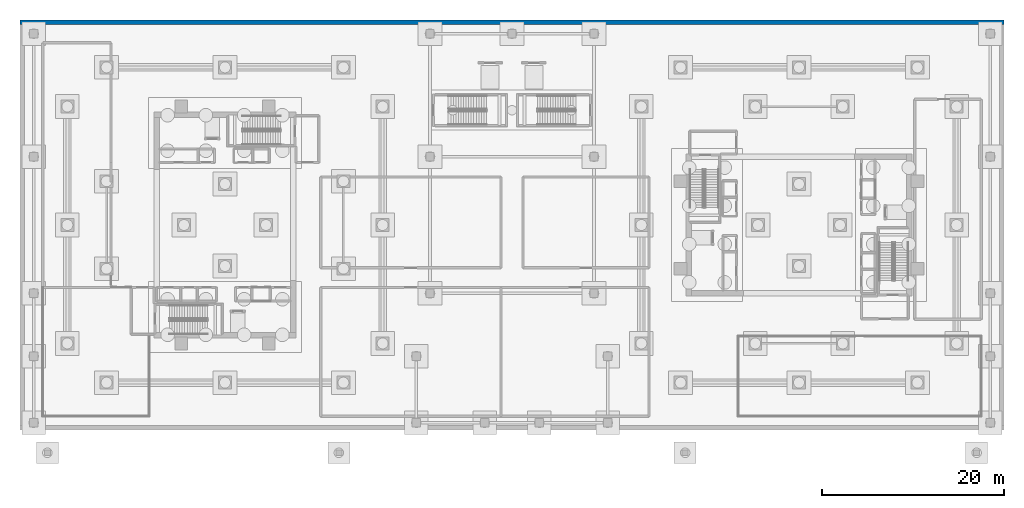
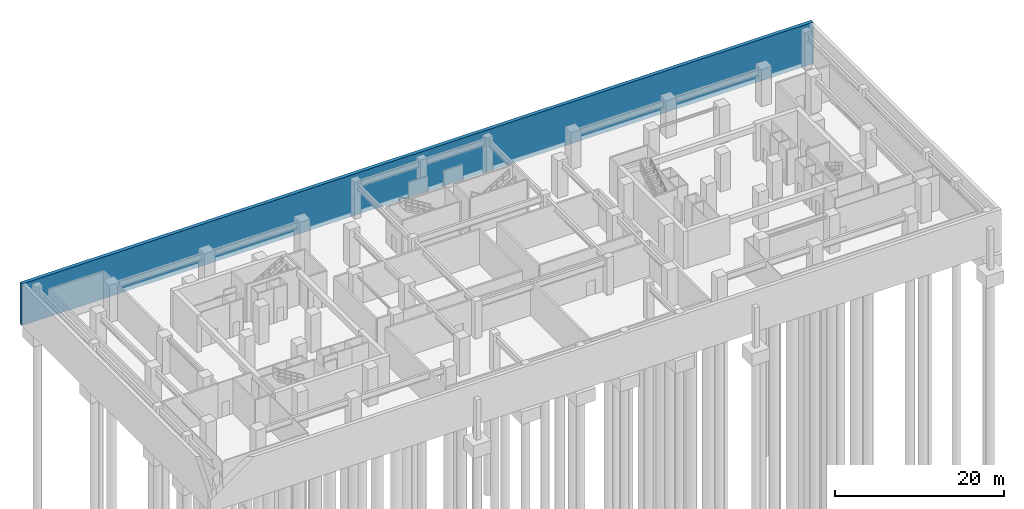
# One storey, part 8 of 14: 1 wall.
"""IFC4 building model written with IfcOpenShell, lengths in metres."""

from ifc_helpers import new_model, si_unit, direction, frame, frame_2d, origin, place, context, subcontext, project, spatial, rectangle, extrude, material, layer, layer_set, type_object, element, save


model = new_model("IFC4")

# Units and contexts
model_context = context("Model", 3, precision=1e-05, world=origin(), true_north=direction((0.0, 1.0)))
body_context = subcontext(model_context, "Body", "Model", "MODEL_VIEW")
ifc_project = project(units=[si_unit("LENGTHUNIT", "METRE"), si_unit("AREAUNIT", "SQUARE_METRE"), si_unit("VOLUMEUNIT", "CUBIC_METRE"), si_unit("PLANEANGLEUNIT", "RADIAN"), si_unit("MASSUNIT", "GRAM", prefix="KILO")], contexts=[model_context])

# Site, building, storey
site_placement = place(None, origin())
site = spatial("IfcSite", under=ifc_project, at=site_placement, CompositionType="ELEMENT")
building_placement = place(site_placement, origin())
building = spatial("IfcBuilding", under=site, at=building_placement, Name="Thornwick Lancets Civic Towers", CompositionType="ELEMENT")
storey_placement = place(building_placement, frame((0.0, 0.0, -5.39990234375)))
storey = spatial("IfcBuildingStorey", under=building, at=storey_placement, Name="B01", CompositionType="ELEMENT", Elevation=-5.39990234375)

# Wall
ifc_material = material(Name="Concrete C40/50", Category="concrete")
ifc_layer = layer(ifc_material, 0.5, Name="Concrete C40/50")
ifc_layer_set = layer_set([ifc_layer], Name="Concrete C40/50")
wall_type = type_object("IfcWallType", Name="WALL_RETAIN_500", PredefinedType="USERDEFINED", material=ifc_layer_set)
wall_placement = place(storey_placement, frame((111.0, 49.25, -0.60009765625), z_axis=(0.0, 0.0, 1.0), x_axis=(-1.0, 0.0, 0.0)))
element("IfcWall", 1, at=wall_placement, inside=storey, type_object=wall_type, Name="B01 Perimeter Retaining Wall N", ObjectType="RETAININGWALL", PredefinedType="USERDEFINED", context=body_context, shape_type="SweptSolid", body=[
    extrude(rectangle(XDim=108.0, YDim=0.5, at=frame_2d((54.0, 0.0))), origin(), (0.0, 0.0, 1.0), 6.0),
])

save(model, "model.ifc")
